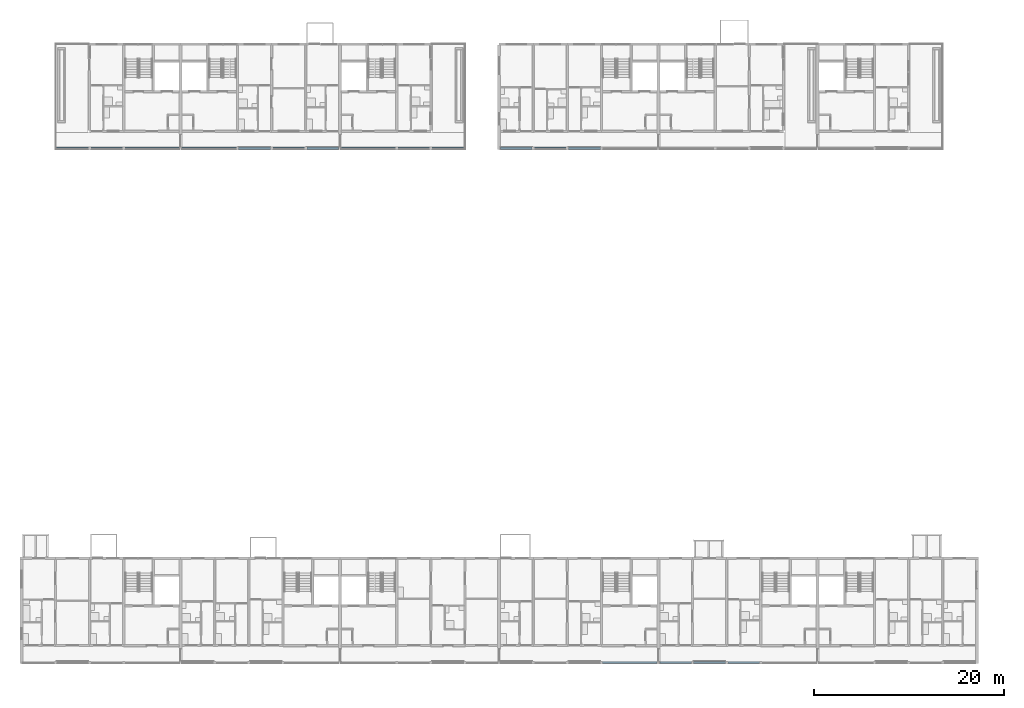
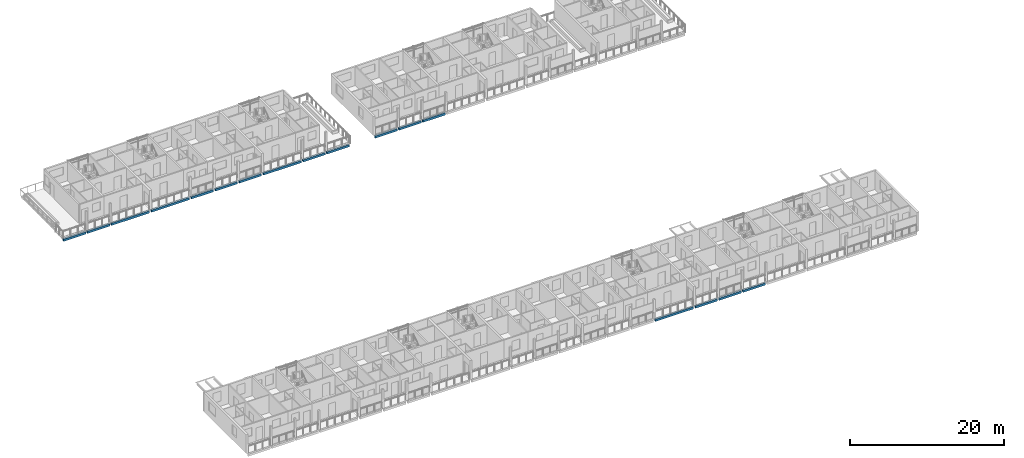
# One storey, part 8 of 94: 17 beams.
"""IFC4 building model written with IfcOpenShell, lengths in metres."""

from ifc_helpers import new_model, si_unit, direction, frame, origin, origin_2d, place, context, subcontext, project, spatial, rectangle, extrude, material, material_profile, profile_set, type_object, element, save


model = new_model("IFC4")

# Units and contexts
model_context = context("Model", 3, precision=1e-05, world=origin(), true_north=direction((0.0, 1.0)))
body_context = subcontext(model_context, "Body", "Model", "MODEL_VIEW")
ifc_project = project(units=[si_unit("LENGTHUNIT", "METRE"), si_unit("AREAUNIT", "SQUARE_METRE"), si_unit("VOLUMEUNIT", "CUBIC_METRE"), si_unit("PLANEANGLEUNIT", "RADIAN"), si_unit("MASSUNIT", "GRAM", prefix="KILO")], contexts=[model_context])

# Site, building, storey
site_placement = place(None, origin())
site = spatial("IfcSite", under=ifc_project, at=site_placement, CompositionType="ELEMENT")
building_placement = place(site_placement, origin())
building = spatial("IfcBuilding", under=site, at=building_placement, Name="Ridgestep Commons", CompositionType="ELEMENT")
storey_placement = place(building_placement, frame((0.0, 0.0, 21.0)))
storey = spatial("IfcBuildingStorey", under=building, at=storey_placement, Name="L07", CompositionType="ELEMENT", Elevation=21.0)

# Beams
ifc_material = material(Name="Precast concrete C40/50", Category="concrete")
ifc_material_profile = material_profile(ifc_material, rectangle(XDim=0.25, YDim=0.35009765625, at=origin_2d()), Name="PC 250x350")
ifc_profile_set = profile_set([ifc_material_profile], Name="Precast concrete C40/50")
beam_type = type_object("IfcBeamType", Name="Loggia edge beam 250 x 350", PredefinedType="SPANDREL", material=ifc_profile_set)
beam_1_placement = place(storey_placement, frame((73.324951171875, 11.875, -0.375), z_axis=(1.0, 0.0, 0.0), x_axis=(0.0, 1.0, 0.0)))
element("IfcBeam", 1, at=beam_1_placement, inside=storey, type_object=beam_type, Name="Loggia edge beam A4C L07", PredefinedType="SPANDREL", context=body_context, shape_type="SweptSolid", body=[
    extrude(rectangle(XDim=0.25, YDim=0.35009765625, at=origin_2d()), origin(), (0.0, 0.0, 1.0), 5.72509765625),
])
beam_2_placement = place(storey_placement, frame((79.35009765625, 11.875, -0.375), z_axis=(1.0, 0.0, 0.0), x_axis=(0.0, 1.0, 0.0)))
element("IfcBeam", 2, at=beam_2_placement, inside=storey, type_object=beam_type, Name="Loggia edge beam A5T1 L07", PredefinedType="SPANDREL", context=body_context, shape_type="SweptSolid", body=[
    extrude(rectangle(XDim=0.25, YDim=0.35009765625, at=origin_2d()), origin(), (0.0, 0.0, 1.0), 3.324951171875),
])
beam_3_placement = place(storey_placement, frame((82.925048828125, 11.875, -0.375), z_axis=(1.0, 0.0, 0.0), x_axis=(0.0, 1.0, 0.0)))
element("IfcBeam", 3, at=beam_3_placement, inside=storey, type_object=beam_type, Name="Loggia edge beam A5T2 L07", PredefinedType="SPANDREL", context=body_context, shape_type="SweptSolid", body=[
    extrude(rectangle(XDim=0.25, YDim=0.35009765625, at=origin_2d()), origin(), (0.0, 0.0, 1.0), 3.349853515625),
])
beam_4_placement = place(storey_placement, frame((86.52490234375, 11.875, -0.375), z_axis=(1.0, 0.0, 0.0), x_axis=(0.0, 1.0, 0.0)))
element("IfcBeam", 4, at=beam_4_placement, inside=storey, type_object=beam_type, Name="Loggia edge beam A5T3 L07", PredefinedType="SPANDREL", context=body_context, shape_type="SweptSolid", body=[
    extrude(rectangle(XDim=0.25, YDim=0.35009765625, at=origin_2d()), origin(), (0.0, 0.0, 1.0), 3.35009765625),
])
beam_5_placement = place(storey_placement, frame((15.72509765625, 66.125, -0.375), z_axis=(1.0, 0.0, 0.0), x_axis=(0.0, 1.0, 0.0)))
element("IfcBeam", 5, at=beam_5_placement, inside=storey, type_object=beam_type, Name="Loggia edge beam B1T2 L07", PredefinedType="SPANDREL", context=body_context, shape_type="SweptSolid", body=[
    extrude(rectangle(XDim=0.25, YDim=0.35009765625, at=origin_2d()), origin(), (0.0, 0.0, 1.0), 3.349853515625),
])
beam_6_placement = place(storey_placement, frame((19.324951171875, 66.125, -0.375), z_axis=(1.0, 0.0, 0.0), x_axis=(0.0, 1.0, 0.0)))
element("IfcBeam", 6, at=beam_6_placement, inside=storey, type_object=beam_type, Name="Loggia edge beam B1T3 L07", PredefinedType="SPANDREL", context=body_context, shape_type="SweptSolid", body=[
    extrude(rectangle(XDim=0.25, YDim=0.35009765625, at=origin_2d()), origin(), (0.0, 0.0, 1.0), 3.35009765625),
])
beam_7_placement = place(storey_placement, frame((22.925048828125, 66.125, -0.375), z_axis=(1.0, 0.0, 0.0), x_axis=(0.0, 1.0, 0.0)))
element("IfcBeam", 7, at=beam_7_placement, inside=storey, type_object=beam_type, Name="Loggia edge beam B1C L07", PredefinedType="SPANDREL", context=body_context, shape_type="SweptSolid", body=[
    extrude(rectangle(XDim=0.25, YDim=0.35009765625, at=origin_2d()), origin(), (0.0, 0.0, 1.0), 5.724853515625),
])
beam_8_placement = place(storey_placement, frame((28.949951171875, 66.125, -0.375), z_axis=(1.0, 0.0, 0.0), x_axis=(0.0, 1.0, 0.0)))
element("IfcBeam", 8, at=beam_8_placement, inside=storey, type_object=beam_type, Name="Loggia edge beam B2C L07", PredefinedType="SPANDREL", context=body_context, shape_type="SweptSolid", body=[
    extrude(rectangle(XDim=0.25, YDim=0.35009765625, at=origin_2d()), origin(), (0.0, 0.0, 1.0), 5.72509765625),
])
beam_9_placement = place(storey_placement, frame((34.925048828125, 66.125, -0.375), z_axis=(1.0, 0.0, 0.0), x_axis=(0.0, 1.0, 0.0)))
element("IfcBeam", 9, at=beam_9_placement, inside=storey, type_object=beam_type, Name="Loggia edge beam B2T3 L07", PredefinedType="SPANDREL", context=body_context, shape_type="SweptSolid", body=[
    extrude(rectangle(XDim=0.25, YDim=0.35009765625, at=origin_2d()), origin(), (0.0, 0.0, 1.0), 3.349853515625),
])
beam_10_placement = place(storey_placement, frame((38.52490234375, 66.125, -0.375), z_axis=(1.0, 0.0, 0.0), x_axis=(0.0, 1.0, 0.0)))
element("IfcBeam", 10, at=beam_10_placement, inside=storey, type_object=beam_type, Name="Loggia edge beam B2T2 L07", PredefinedType="SPANDREL", context=body_context, shape_type="SweptSolid", body=[
    extrude(rectangle(XDim=0.25, YDim=0.35009765625, at=origin_2d()), origin(), (0.0, 0.0, 1.0), 3.35009765625),
])
beam_11_placement = place(storey_placement, frame((42.125, 66.125, -0.375), z_axis=(1.0, 0.0, 0.0), x_axis=(0.0, 1.0, 0.0)))
element("IfcBeam", 11, at=beam_11_placement, inside=storey, type_object=beam_type, Name="Loggia edge beam B2T1 L07", PredefinedType="SPANDREL", context=body_context, shape_type="SweptSolid", body=[
    extrude(rectangle(XDim=0.25, YDim=0.35009765625, at=origin_2d()), origin(), (0.0, 0.0, 1.0), 3.324951171875),
])
beam_12_placement = place(storey_placement, frame((45.75, 66.125, -0.375), z_axis=(1.0, 0.0, 0.0), x_axis=(0.0, 1.0, 0.0)))
element("IfcBeam", 12, at=beam_12_placement, inside=storey, type_object=beam_type, Name="Loggia edge beam B3C L07", PredefinedType="SPANDREL", context=body_context, shape_type="SweptSolid", body=[
    extrude(rectangle(XDim=0.25, YDim=0.35009765625, at=origin_2d()), origin(), (0.0, 0.0, 1.0), 5.72509765625),
])
beam_13_placement = place(storey_placement, frame((51.72509765625, 66.125, -0.375), z_axis=(1.0, 0.0, 0.0), x_axis=(0.0, 1.0, 0.0)))
element("IfcBeam", 13, at=beam_13_placement, inside=storey, type_object=beam_type, Name="Loggia edge beam B3T3 L07", PredefinedType="SPANDREL", context=body_context, shape_type="SweptSolid", body=[
    extrude(rectangle(XDim=0.25, YDim=0.35009765625, at=origin_2d()), origin(), (0.0, 0.0, 1.0), 3.349853515625),
])
beam_14_placement = place(storey_placement, frame((55.324951171875, 66.125, -0.375), z_axis=(1.0, 0.0, 0.0), x_axis=(0.0, 1.0, 0.0)))
element("IfcBeam", 14, at=beam_14_placement, inside=storey, type_object=beam_type, Name="Loggia edge beam B3T2 L07", PredefinedType="SPANDREL", context=body_context, shape_type="SweptSolid", body=[
    extrude(rectangle(XDim=0.25, YDim=0.35009765625, at=origin_2d()), origin(), (0.0, 0.0, 1.0), 3.35009765625),
])
beam_15_placement = place(storey_placement, frame((62.550048828125, 66.125, -0.375), z_axis=(1.0, 0.0, 0.0), x_axis=(0.0, 1.0, 0.0)))
element("IfcBeam", 15, at=beam_15_placement, inside=storey, type_object=beam_type, Name="Loggia edge beam B4T1 L07", PredefinedType="SPANDREL", context=body_context, shape_type="SweptSolid", body=[
    extrude(rectangle(XDim=0.25, YDim=0.35009765625, at=origin_2d()), origin(), (0.0, 0.0, 1.0), 3.324951171875),
])
beam_16_placement = place(storey_placement, frame((66.125, 66.125, -0.375), z_axis=(1.0, 0.0, 0.0), x_axis=(0.0, 1.0, 0.0)))
element("IfcBeam", 16, at=beam_16_placement, inside=storey, type_object=beam_type, Name="Loggia edge beam B4T2 L07", PredefinedType="SPANDREL", context=body_context, shape_type="SweptSolid", body=[
    extrude(rectangle(XDim=0.25, YDim=0.35009765625, at=origin_2d()), origin(), (0.0, 0.0, 1.0), 3.35009765625),
])
beam_17_placement = place(storey_placement, frame((69.72509765625, 66.125, -0.375), z_axis=(1.0, 0.0, 0.0), x_axis=(0.0, 1.0, 0.0)))
element("IfcBeam", 17, at=beam_17_placement, inside=storey, type_object=beam_type, Name="Loggia edge beam B4T3 L07", PredefinedType="SPANDREL", context=body_context, shape_type="SweptSolid", body=[
    extrude(rectangle(XDim=0.25, YDim=0.35009765625, at=origin_2d()), origin(), (0.0, 0.0, 1.0), 3.349853515625),
])

save(model, "model.ifc")
